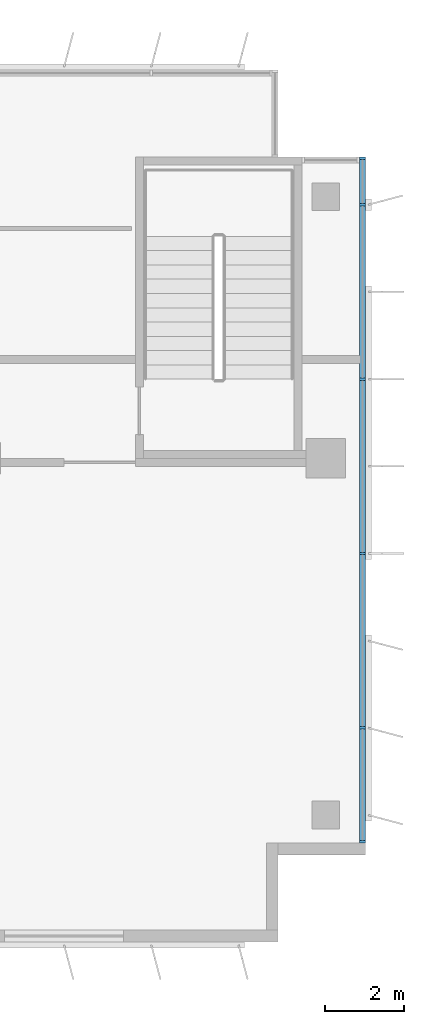
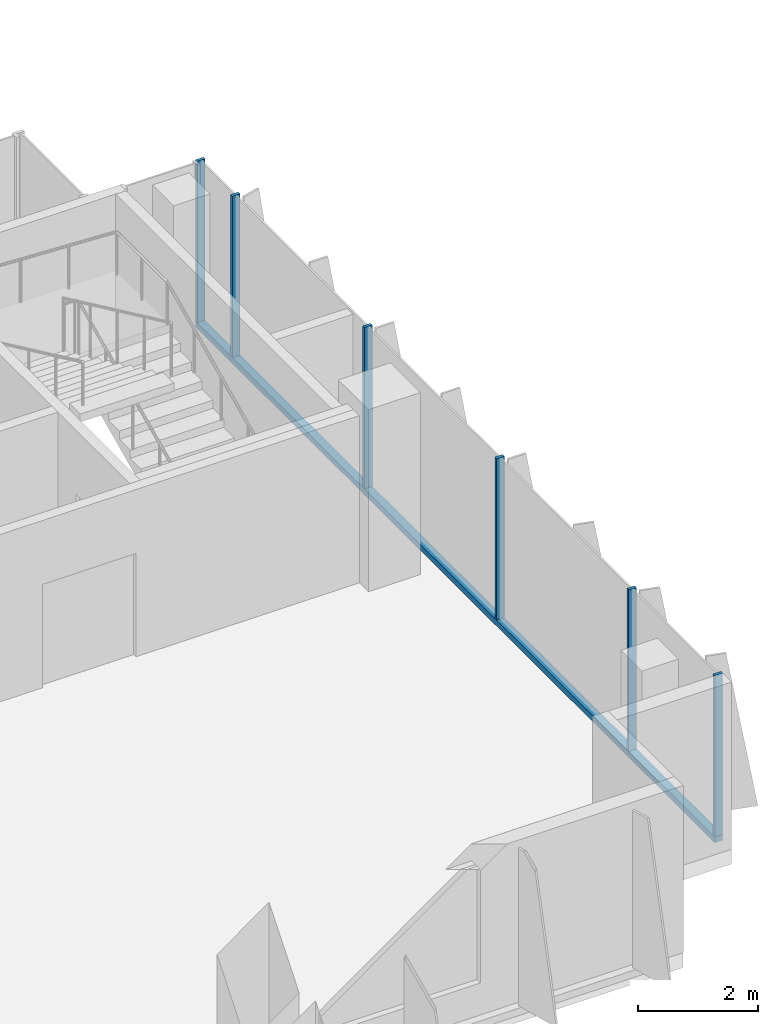
# One storey, part 8 of 21: 7 members, 1 element without a shape of its own.
"""IFC4 building model written with IfcOpenShell, lengths in metres."""

from ifc_helpers import new_model, si_unit, direction, frame, origin, origin_2d, place, context, subcontext, project, spatial, rectangle, extrude, source, transform, mapped, material, material_profile, profile_set, type_object, element, aggregate, save


model = new_model("IFC4")

# Units and contexts
model_context = context("Model", 3, precision=1e-05, world=origin(), true_north=direction((0.0, 1.0)))
body_context = subcontext(model_context, "Body", "Model", "MODEL_VIEW")
ifc_project = project(units=[si_unit("LENGTHUNIT", "METRE"), si_unit("AREAUNIT", "SQUARE_METRE"), si_unit("VOLUMEUNIT", "CUBIC_METRE"), si_unit("PLANEANGLEUNIT", "RADIAN"), si_unit("MASSUNIT", "GRAM", prefix="KILO")], contexts=[model_context])

# Site, building, storey
site_placement = place(None, origin())
site = spatial("IfcSite", under=ifc_project, at=site_placement, CompositionType="ELEMENT")
building_placement = place(site_placement, origin())
building = spatial("IfcBuilding", under=site, at=building_placement, Name="Kemantara Hotel Tower", CompositionType="ELEMENT")
storey_placement = place(building_placement, frame((0.0, 0.0, 182.699951171875)))
storey = spatial("IfcBuildingStorey", under=building, at=storey_placement, Name="L45", CompositionType="ELEMENT", Elevation=182.699951171875)

# Curtain wall, members
ifc_material_1 = material(Name="Low-E tinted double insulated glass 36 mm", Category="glass")
curtain_wall_type = type_object("IfcCurtainWallType", Name="TOWER CURTAIN WALL, FRONT FACES", PredefinedType="USERDEFINED", material=ifc_material_1)
curtain_wall_placement = place(storey_placement, origin())
curtain_wall = element("IfcCurtainWall", 1, at=curtain_wall_placement, inside=storey, type_object=curtain_wall_type, Name="CW4 L45 T3-R11-1", ObjectType="TOWER CURTAIN WALL, FRONT FACES", PredefinedType="USERDEFINED")
ifc_material_2 = material(Name="Aluminium 6063-T6 bronze anodised", Category="aluminium")
ifc_material_profile_1 = material_profile(ifc_material_2, rectangle(XDim=0.14990234375, YDim=0.1201171875, at=origin_2d()), Name="TOWER CURTAIN WALL, FRONT FACES TRANSOM")
ifc_profile_set_1 = profile_set([ifc_material_profile_1], Name="Aluminium 6063-T6 bronze anodised")
member_type_1 = type_object("IfcMemberType", Name="TOWER CURTAIN WALL, FRONT FACES TRANSOM", PredefinedType="USERDEFINED", material=ifc_profile_set_1)
member_1_placement = place(storey_placement, frame((63.52490234375, 2.5, 0.06005859375), z_axis=(0.0, 1.0, 0.0), x_axis=(-1.0, 0.0, 0.0)))
member_1 = element("IfcMember", 2, at=member_1_placement, type_object=member_type_1, Name="CW4 sill transom T3-R11-1", ObjectType="TRANSOM", PredefinedType="USERDEFINED", context=body_context, shape_type="SweptSolid", body=[
    extrude(rectangle(XDim=0.14990234375, YDim=0.1201171875, at=origin_2d()), origin(), (0.0, 0.0, 1.0), 17.300048828125),
])
ifc_material_profile_2 = material_profile(ifc_material_2, rectangle(XDim=0.14990234375, YDim=0.06005859375, at=origin_2d()), Name="TOWER CURTAIN WALL, FRONT FACES MULLION")
ifc_profile_set_2 = profile_set([ifc_material_profile_2], Name="Aluminium 6063-T6 bronze anodised")
member_type_2 = type_object("IfcMemberType", Name="TOWER CURTAIN WALL, FRONT FACES MULLION", PredefinedType="MULLION", material=ifc_profile_set_2)
shared_shape = source(origin(), body_context, "Body", "SweptSolid", [
    extrude(rectangle(XDim=0.14990234375, YDim=0.06005859375, at=origin_2d()), origin(), (0.0, 0.0, 1.0), 3.280029296875),
])
member_2_placement = place(storey_placement, frame((63.52490234375, 2.530029296875, 0.1201171875), z_axis=(0.0, 0.0, 1.0), x_axis=(-1.0, 0.0, 0.0)))
member_2 = element("IfcMember", 3, at=member_2_placement, type_object=member_type_2, Name="CW4 mullion T3-R11-1.1", PredefinedType="MULLION", context=body_context, shape_type="MappedRepresentation", body=[
    mapped(shared_shape, transform((0.0, 0.0, 0.0))),
])
member_3_placement = place(storey_placement, frame((63.52490234375, 5.39990234375, 0.1201171875), z_axis=(0.0, 0.0, 1.0), x_axis=(-1.0, 0.0, 0.0)))
member_3 = element("IfcMember", 4, at=member_3_placement, type_object=member_type_2, Name="CW4 mullion T3-R11-1.2", PredefinedType="MULLION", context=body_context, shape_type="MappedRepresentation", body=[
    mapped(shared_shape, transform((0.0, 0.0, 0.0))),
])
member_4_placement = place(storey_placement, frame((63.52490234375, 9.800048828125, 0.1201171875), z_axis=(0.0, 0.0, 1.0), x_axis=(-1.0, 0.0, 0.0)))
member_4 = element("IfcMember", 5, at=member_4_placement, type_object=member_type_2, Name="CW4 mullion T3-R11-1.3", PredefinedType="MULLION", context=body_context, shape_type="MappedRepresentation", body=[
    mapped(shared_shape, transform((0.0, 0.0, 0.0))),
])
member_5_placement = place(storey_placement, frame((63.52490234375, 14.199951171875, 0.1201171875), z_axis=(0.0, 0.0, 1.0), x_axis=(-1.0, 0.0, 0.0)))
member_5 = element("IfcMember", 6, at=member_5_placement, type_object=member_type_2, Name="CW4 mullion T3-R11-1.4", PredefinedType="MULLION", context=body_context, shape_type="MappedRepresentation", body=[
    mapped(shared_shape, transform((0.0, 0.0, 0.0))),
])
member_6_placement = place(storey_placement, frame((63.52490234375, 18.60009765625, 0.1201171875), z_axis=(0.0, 0.0, 1.0), x_axis=(-1.0, 0.0, 0.0)))
member_6 = element("IfcMember", 7, at=member_6_placement, type_object=member_type_2, Name="CW4 mullion T3-R11-1.5", PredefinedType="MULLION", context=body_context, shape_type="MappedRepresentation", body=[
    mapped(shared_shape, transform((0.0, 0.0, 0.0))),
])
member_7_placement = place(storey_placement, frame((63.52490234375, 19.77001953125, 0.1201171875), z_axis=(0.0, 0.0, 1.0), x_axis=(-1.0, 0.0, 0.0)))
member_7 = element("IfcMember", 8, at=member_7_placement, type_object=member_type_2, Name="CW4 mullion T3-R11-1.6", PredefinedType="MULLION", context=body_context, shape_type="MappedRepresentation", body=[
    mapped(shared_shape, transform((0.0, 0.0, 0.0))),
])
aggregate(curtain_wall, [member_1, member_2, member_3, member_4, member_5, member_6, member_7])

save(model, "model.ifc")
